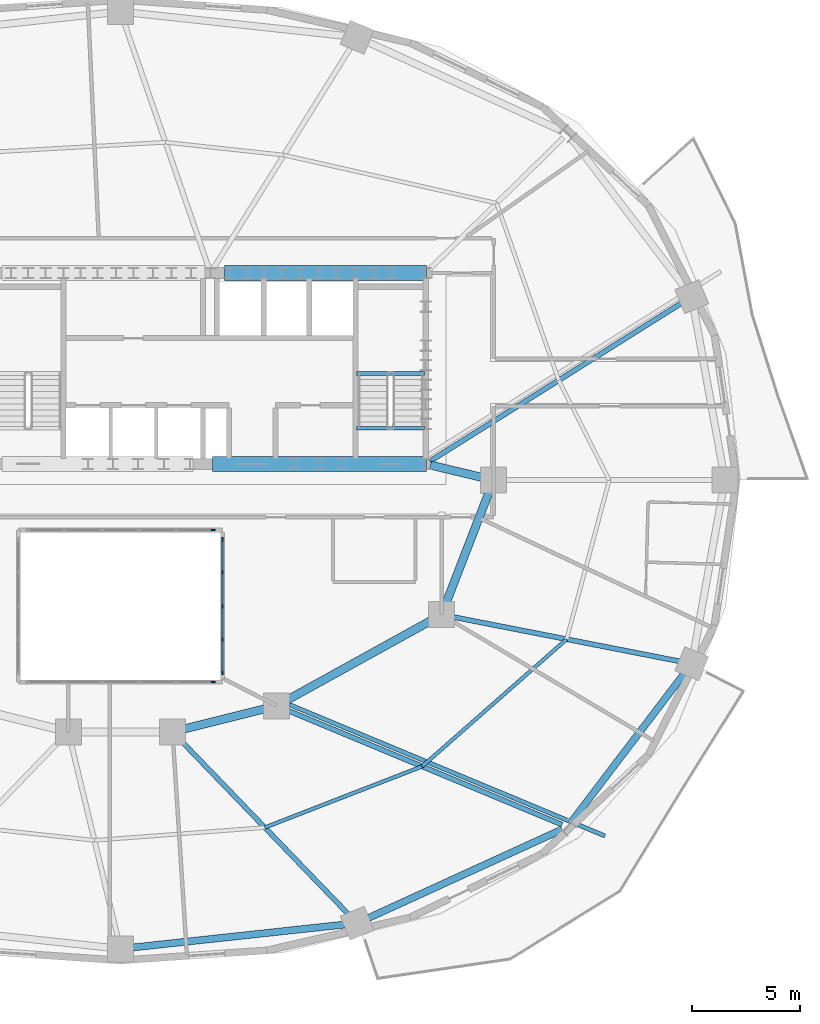
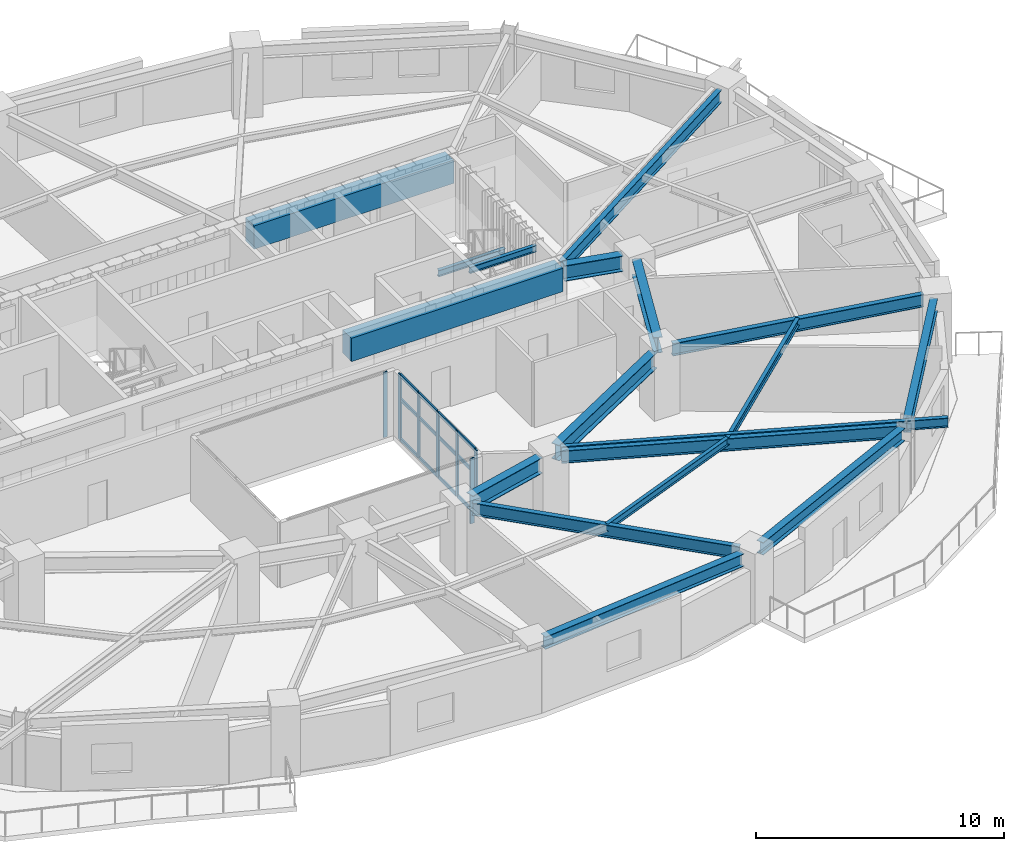
# One storey, part 4 of 13: 19 members, 18 beams, 3 elements without a shape of their own.
"""IFC4 building model written with IfcOpenShell, lengths in metres."""

import ifcopenshell
import ifcopenshell.guid

model = None  # the IFC model being written
_history = None  # IfcOwnerHistory: only IFC2X3 demands one
_inside = {}  # id of a spatial element -> (the spatial element, [elements in it])
_under = {}  # id of a project, library or spatial element -> (it, [spatial elements below it])
_declared = {}  # id of a project -> (the project, [libraries it declares])
_typed = {}  # id of a type object -> (the type object, [elements of that type])
_made_of = {}  # id of a material, layer set ... -> (it, [elements and type objects made of it])


def new_model(schema):
    """Start an empty IFC model of exactly this schema.

    Asked for "IFC4X3", IfcOpenShell would pick the latest addendum, in which some entities
    have other attributes; the version numbers below select the first issue.
    IFC2X3 requires an IfcOwnerHistory on every rooted entity: one is made here for all.
    """
    global model, _history
    if schema == "IFC4X3":
        model = ifcopenshell.file(schema_version=(4, 3, 0, 0))
    else:
        model = ifcopenshell.file(schema=schema)
    _inside.clear()
    _under.clear()
    _declared.clear()
    _typed.clear()
    _made_of.clear()
    _history = None
    if model.schema == "IFC2X3":
        org = make("IfcOrganization", Name="unknown")
        user = make(
            "IfcPersonAndOrganization",
            ThePerson=make("IfcPerson", FamilyName="unknown"),
            TheOrganization=org,
        )
        app = make(
            "IfcApplication",
            ApplicationDeveloper=org,
            Version="unknown",
            ApplicationFullName="unknown",
            ApplicationIdentifier="unknown",
        )
        _history = make(
            "IfcOwnerHistory",
            OwningUser=user,
            OwningApplication=app,
            ChangeAction="ADDED",
            CreationDate=0,
        )
    return model


def make(cls, **values):
    """One entity of the class cls with the attributes given. An attribute that is None is left unset."""
    return model.create_entity(
        cls, **{name: value for name, value in values.items() if value is not None}
    )


def rooted(cls, **values):
    """An entity with a GlobalId (a new one), such as an element, a storey or a relation."""
    return make(cls, GlobalId=ifcopenshell.guid.new(), OwnerHistory=_history, **values)


def si_unit(unit_type, name, prefix=None):
    """IfcSIUnit, for example si_unit("LENGTHUNIT", "METRE", prefix="MILLI")."""
    return make("IfcSIUnit", UnitType=unit_type, Prefix=prefix, Name=name)


def assignment(units):
    """IfcUnitAssignment: the units of a project."""
    return None if units is None else make("IfcUnitAssignment", Units=units)


def point(xyz):
    """IfcCartesianPoint."""
    return None if xyz is None else make("IfcCartesianPoint", Coordinates=xyz)


def direction(xyz):
    """IfcDirection."""
    return None if xyz is None else make("IfcDirection", DirectionRatios=xyz)


def frame(location, z_axis=None, x_axis=None):
    """IfcAxis2Placement3D, a coordinate frame: its origin and axes. An axis left out is left unset."""
    return make(
        "IfcAxis2Placement3D",
        Location=point(location),
        Axis=direction(z_axis),
        RefDirection=direction(x_axis),
    )


def frame_2d(location, x_axis=None):
    """IfcAxis2Placement2D, a coordinate frame in the plane: its origin and x axis."""
    return make(
        "IfcAxis2Placement2D", Location=point(location), RefDirection=direction(x_axis)
    )


def origin():
    """The frame at (0, 0, 0) with its axes left unset."""
    return frame((0.0, 0.0, 0.0))


def origin_2d():
    """The frame at (0, 0) in the plane with its x axis left unset."""
    return frame_2d((0.0, 0.0))


def place(relative_to, where):
    """IfcLocalPlacement: puts the frame where relative to a parent placement (None: the world)."""
    return make(
        "IfcLocalPlacement", PlacementRelTo=relative_to, RelativePlacement=where
    )


def context(
    kind, dimensions, precision=None, world=None, true_north=None, identifier=None
):
    """IfcGeometricRepresentationContext, for example the 3D "Model" context."""
    return make(
        "IfcGeometricRepresentationContext",
        ContextIdentifier=identifier,
        ContextType=kind,
        CoordinateSpaceDimension=dimensions,
        Precision=precision,
        WorldCoordinateSystem=world,
        TrueNorth=true_north,
    )


def subcontext(parent, identifier, kind, view, scale=None):
    """IfcGeometricRepresentationSubContext, for example "Body" below "Model"."""
    return make(
        "IfcGeometricRepresentationSubContext",
        ContextIdentifier=identifier,
        ContextType=kind,
        ParentContext=parent,
        TargetScale=scale,
        TargetView=view,
    )


def project(units=None, contexts=None):
    """IfcProject with its units and contexts."""
    return rooted(
        "IfcProject",
        Name="project",
        RepresentationContexts=contexts,
        UnitsInContext=assignment(units),
    )


def spatial(cls, under=None, at=None, **own):
    """A site, building, storey or space (cls), placed at a placement, below another one or the project."""
    s = rooted(cls, ObjectPlacement=at, **own)
    if under is not None:
        _under.setdefault(under.id(), (under, []))[1].append(s)
    return s


def profile(cls, at=None, kind="AREA", **sizes):
    """A parametric profile (cls). Its sizes go by their IFC names, for example OverallWidth=200.0."""
    return make(cls, ProfileType=kind, Position=at, **sizes)


def rectangle(**sizes):
    """IfcRectangleProfileDef."""
    return profile("IfcRectangleProfileDef", **sizes)


def i_section(**sizes):
    """IfcIShapeProfileDef."""
    return profile("IfcIShapeProfileDef", **sizes)


def extrude(swept, where, along, depth):
    """IfcExtrudedAreaSolid: the profile swept, set in the frame where, extruded along a direction by depth."""
    return make(
        "IfcExtrudedAreaSolid",
        SweptArea=swept,
        Position=where,
        ExtrudedDirection=direction(along),
        Depth=depth,
    )


def shape(context_of_items, identifier, shape_type, items):
    """IfcShapeRepresentation: the items that make up one representation, for example the "Body"."""
    return make(
        "IfcShapeRepresentation",
        ContextOfItems=context_of_items,
        RepresentationIdentifier=identifier,
        RepresentationType=shape_type,
        Items=items,
    )


def material(Name=None, Category=None):
    """IfcMaterial."""
    return make("IfcMaterial", Name=Name, Category=Category)


def material_profile(
    of_material, cross_section, Name=None, Category=None, Priority=None
):
    """IfcMaterialProfile: a cross section and its material."""
    return make(
        "IfcMaterialProfile",
        Name=Name,
        Material=of_material,
        Profile=cross_section,
        Priority=Priority,
        Category=Category,
    )


def profile_set(profiles, Name=None, composite=None):
    """IfcMaterialProfileSet."""
    return make(
        "IfcMaterialProfileSet",
        Name=Name,
        MaterialProfiles=profiles,
        CompositeProfile=composite,
    )


def made_of(thing, what):
    """Note that an element or type object is made of a material, layer set ...; save() writes the relation."""
    if what is not None:
        _made_of.setdefault(what.id(), (what, []))[1].append(thing)
    return thing


def type_object(cls, material=None, **own):
    """A type object (cls), such as IfcWallType, which elements share."""
    return made_of(rooted(cls, **own), material)


def element(
    cls,
    number,
    at=None,
    inside=None,
    cuts=None,
    type_object=None,
    material=None,
    context=None,
    identifier="Body",
    shape_type=None,
    held_by="IfcProductDefinitionShape",
    body=None,
    shapes=None,
    **own,
):
    """One element of the class cls, such as IfcWall. Its Tag is "e" and its number.

    at: its placement. inside: the storey or other place that contains it. cuts: it is an
    opening in that element (IfcRelVoidsElement). A single representation is given by context,
    identifier, shape_type and body (its items); several are given by shapes. held_by: the class
    of the entity that holds the representations. save() writes the other relations.
    """
    e = rooted(cls, Tag="e%d" % number, ObjectPlacement=at, **own)
    if body is not None:
        shapes = [shape(context, identifier, shape_type, body)]
    if shapes is not None:
        e.Representation = make(held_by, Representations=shapes)
    if inside is not None:
        _inside.setdefault(inside.id(), (inside, []))[1].append(e)
    if cuts is not None:
        rooted(
            "IfcRelVoidsElement", RelatingBuildingElement=cuts, RelatedOpeningElement=e
        )
    if type_object is not None:
        _typed.setdefault(type_object.id(), (type_object, []))[1].append(e)
    return made_of(e, material)


def aggregate(whole, parts):
    """IfcRelAggregates: a whole, such as a stair, and the parts it consists of."""
    return rooted("IfcRelAggregates", RelatingObject=whole, RelatedObjects=parts)


def save(model, path):
    """Write the relations noted so far, then the file.

    IfcRelAggregates (storeys below a building ...), IfcRelContainedInSpatialStructure (elements
    in a storey), IfcRelDefinesByType, IfcRelAssociatesMaterial and IfcRelDeclares: one each for
    every whole, place, type object, material and project.
    """
    for whole, parts in _under.values():
        aggregate(whole, parts)
    for where, things in _inside.values():
        rooted(
            "IfcRelContainedInSpatialStructure",
            RelatedElements=things,
            RelatingStructure=where,
        )
    for kind, things in _typed.values():
        rooted("IfcRelDefinesByType", RelatedObjects=things, RelatingType=kind)
    for what, things in _made_of.values():
        rooted("IfcRelAssociatesMaterial", RelatedObjects=things, RelatingMaterial=what)
    for by, libraries in _declared.values():
        rooted("IfcRelDeclares", RelatingContext=by, RelatedDefinitions=libraries)
    model.write(path)


model = new_model("IFC4")

# Units and contexts
model_context = context("Model", 3, precision=1e-05, world=origin(), true_north=direction((0.0, 1.0)))
body_context = subcontext(model_context, "Body", "Model", "MODEL_VIEW")
ifc_project = project(units=[si_unit("LENGTHUNIT", "METRE"), si_unit("AREAUNIT", "SQUARE_METRE"), si_unit("VOLUMEUNIT", "CUBIC_METRE"), si_unit("PLANEANGLEUNIT", "RADIAN"), si_unit("MASSUNIT", "GRAM", prefix="KILO")], contexts=[model_context])

# Site, building, storey
site_placement = place(None, origin())
site = spatial("IfcSite", under=ifc_project, at=site_placement, CompositionType="ELEMENT")
building_placement = place(site_placement, origin())
building = spatial("IfcBuilding", under=site, at=building_placement, Name="Haldorwick Loom Tower", CompositionType="ELEMENT")
storey_placement = place(building_placement, frame((0.0, 0.0, 120.800048828125)))
storey = spatial("IfcBuildingStorey", under=building, at=storey_placement, Name="L32", CompositionType="ELEMENT", Elevation=120.800048828125)

# Curtain wall, member
ifc_material_1 = material(Name="Thermally Broken Anodized Aluminium Curtain Wall Framing", Category="aluminium")
curtain_wall_type = type_object("IfcCurtainWallType", Name="ARC-CW-03", PredefinedType="NOTDEFINED", material=ifc_material_1)
curtain_wall_1_placement = place(storey_placement, origin())
curtain_wall_1 = element("IfcCurtainWall", 1, at=curtain_wall_1_placement, inside=storey, type_object=curtain_wall_type, Name="L32 Atrium Glazed Screen S", PredefinedType="NOTDEFINED")
ifc_material_profile_1 = material_profile(ifc_material_1, rectangle(XDim=0.06591796875, YDim=0.18505859375, at=origin_2d()), Name="ALU_MUL_66X185", Category="aluminium")
ifc_profile_set_1 = profile_set([ifc_material_profile_1], Name="Thermally Broken Anodized Aluminium Curtain Wall Framing")
member_type_1 = type_object("IfcMemberType", Name="ARC-CWM-03", PredefinedType="MULLION", material=ifc_profile_set_1)
member_1_placement = place(storey_placement, frame((40.26708984375, 16.699951171875, 0.0), z_axis=(0.0, 0.0, 1.0), x_axis=(0.0, -1.0, 0.0)))
member_1 = element("IfcMember", 2, at=member_1_placement, type_object=member_type_1, Name="CW-03 mullion 1", PredefinedType="MULLION", context=body_context, shape_type="SweptSolid", body=[
    extrude(rectangle(XDim=0.06591796875, YDim=0.18505859375, at=origin_2d()), origin(), (0.0, 0.0, 1.0), 3.2099609375),
])
aggregate(curtain_wall_1, [member_1])

curtain_wall_2_placement = place(storey_placement, origin())
curtain_wall_2 = element("IfcCurtainWall", 3, at=curtain_wall_2_placement, inside=storey, type_object=curtain_wall_type, Name="L32 Atrium Glazed Screen N", PredefinedType="NOTDEFINED")
member_2_placement = place(storey_placement, frame((40.26708984375, 23.699951171875, 0.0), z_axis=(0.0, 0.0, 1.0), x_axis=(0.0, 1.0, 0.0)))
member_2 = element("IfcMember", 4, at=member_2_placement, type_object=member_type_1, Name="CW-03 mullion 6", PredefinedType="MULLION", context=body_context, shape_type="SweptSolid", body=[
    extrude(rectangle(XDim=0.06591796875, YDim=0.18505859375, at=origin_2d()), origin(), (0.0, 0.0, 1.0), 3.2099609375),
])
aggregate(curtain_wall_2, [member_2])

# Curtain wall, members
curtain_wall_3_placement = place(storey_placement, origin())
curtain_wall_3 = element("IfcCurtainWall", 5, at=curtain_wall_3_placement, inside=storey, type_object=curtain_wall_type, Name="L32 Atrium Glazed Screen E", PredefinedType="NOTDEFINED")
member_3_placement = place(storey_placement, frame((40.699951171875, 23.26708984375, 0.0), z_axis=(0.0, 0.0, 1.0), x_axis=(1.0, 0.0, 0.0)))
member_3 = element("IfcMember", 6, at=member_3_placement, type_object=member_type_1, Name="CW-03 mullion 1", PredefinedType="MULLION", context=body_context, shape_type="SweptSolid", body=[
    extrude(rectangle(XDim=0.06591796875, YDim=0.18505859375, at=origin_2d()), origin(), (0.0, 0.0, 1.0), 3.2099609375),
])
member_4_placement = place(storey_placement, frame((40.699951171875, 21.75, 0.0), z_axis=(0.0, 0.0, 1.0), x_axis=(1.0, 0.0, 0.0)))
member_4 = element("IfcMember", 7, at=member_4_placement, type_object=member_type_1, Name="CW-03 mullion 2", PredefinedType="MULLION", context=body_context, shape_type="SweptSolid", body=[
    extrude(rectangle(XDim=0.06591796875, YDim=0.18505859375, at=origin_2d()), origin(), (0.0, 0.0, 1.0), 3.2099609375),
])
member_5_placement = place(storey_placement, frame((40.699951171875, 20.199951171875, 0.0), z_axis=(0.0, 0.0, 1.0), x_axis=(1.0, 0.0, 0.0)))
member_5 = element("IfcMember", 8, at=member_5_placement, type_object=member_type_1, Name="CW-03 mullion 3", PredefinedType="MULLION", context=body_context, shape_type="SweptSolid", body=[
    extrude(rectangle(XDim=0.06591796875, YDim=0.18505859375, at=origin_2d()), origin(), (0.0, 0.0, 1.0), 3.2099609375),
])
member_6_placement = place(storey_placement, frame((40.699951171875, 18.64990234375, 0.0), z_axis=(0.0, 0.0, 1.0), x_axis=(1.0, 0.0, 0.0)))
member_6 = element("IfcMember", 9, at=member_6_placement, type_object=member_type_1, Name="CW-03 mullion 4", PredefinedType="MULLION", context=body_context, shape_type="SweptSolid", body=[
    extrude(rectangle(XDim=0.06591796875, YDim=0.18505859375, at=origin_2d()), origin(), (0.0, 0.0, 1.0), 3.2099609375),
])
member_7_placement = place(storey_placement, frame((40.699951171875, 17.133056640625, 0.0), z_axis=(0.0, 0.0, 1.0), x_axis=(1.0, 0.0, 0.0)))
member_7 = element("IfcMember", 10, at=member_7_placement, type_object=member_type_1, Name="CW-03 mullion 5", PredefinedType="MULLION", context=body_context, shape_type="SweptSolid", body=[
    extrude(rectangle(XDim=0.06591796875, YDim=0.18505859375, at=origin_2d()), origin(), (0.0, 0.0, 1.0), 3.2099609375),
])
ifc_material_profile_2 = material_profile(ifc_material_1, rectangle(XDim=0.06591796875, YDim=0.1650390625, at=origin_2d()), Name="ALU_TRN_66X165", Category="aluminium")
ifc_profile_set_2 = profile_set([ifc_material_profile_2], Name="Thermally Broken Anodized Aluminium Curtain Wall Framing")
member_type_2 = type_object("IfcMemberType", Name="ARC-CWT-03", PredefinedType="USERDEFINED", material=ifc_profile_set_2)
member_8_placement = place(storey_placement, frame((40.699951171875, 23.23388671875, 0.032958984375), z_axis=(0.0, -1.0, 0.0), x_axis=(1.0, 0.0, 0.0)))
member_8 = element("IfcMember", 11, at=member_8_placement, type_object=member_type_2, Name="CW-03 transom 1.1", ObjectType="TRANSOM", PredefinedType="USERDEFINED", context=body_context, shape_type="SweptSolid", body=[
    extrude(rectangle(XDim=0.06591796875, YDim=0.1650390625, at=origin_2d()), origin(), (0.0, 0.0, 1.0), 1.450927734375),
])
member_9_placement = place(storey_placement, frame((40.699951171875, 23.23388671875, 2.0), z_axis=(0.0, -1.0, 0.0), x_axis=(1.0, 0.0, 0.0)))
member_9 = element("IfcMember", 12, at=member_9_placement, type_object=member_type_2, Name="CW-03 transom 1.2", ObjectType="TRANSOM", PredefinedType="USERDEFINED", context=body_context, shape_type="SweptSolid", body=[
    extrude(rectangle(XDim=0.06591796875, YDim=0.1650390625, at=origin_2d()), origin(), (0.0, 0.0, 1.0), 1.450927734375),
])
member_10_placement = place(storey_placement, frame((40.699951171875, 23.23388671875, 3.177001953125), z_axis=(0.0, -1.0, 0.0), x_axis=(1.0, 0.0, 0.0)))
member_10 = element("IfcMember", 13, at=member_10_placement, type_object=member_type_2, Name="CW-03 transom 1.3", ObjectType="TRANSOM", PredefinedType="USERDEFINED", context=body_context, shape_type="SweptSolid", body=[
    extrude(rectangle(XDim=0.06591796875, YDim=0.1650390625, at=origin_2d()), origin(), (0.0, 0.0, 1.0), 1.450927734375),
])
member_11_placement = place(storey_placement, frame((40.699951171875, 21.717041015625, 0.032958984375), z_axis=(0.0, -1.0, 0.0), x_axis=(1.0, 0.0, 0.0)))
member_11 = element("IfcMember", 14, at=member_11_placement, type_object=member_type_2, Name="CW-03 transom 2.1", ObjectType="TRANSOM", PredefinedType="USERDEFINED", context=body_context, shape_type="SweptSolid", body=[
    extrude(rectangle(XDim=0.06591796875, YDim=0.1650390625, at=origin_2d()), origin(), (0.0, 0.0, 1.0), 1.484130859375),
])
member_12_placement = place(storey_placement, frame((40.699951171875, 21.717041015625, 2.0), z_axis=(0.0, -1.0, 0.0), x_axis=(1.0, 0.0, 0.0)))
member_12 = element("IfcMember", 15, at=member_12_placement, type_object=member_type_2, Name="CW-03 transom 2.2", ObjectType="TRANSOM", PredefinedType="USERDEFINED", context=body_context, shape_type="SweptSolid", body=[
    extrude(rectangle(XDim=0.06591796875, YDim=0.1650390625, at=origin_2d()), origin(), (0.0, 0.0, 1.0), 1.484130859375),
])
member_13_placement = place(storey_placement, frame((40.699951171875, 21.717041015625, 3.177001953125), z_axis=(0.0, -1.0, 0.0), x_axis=(1.0, 0.0, 0.0)))
member_13 = element("IfcMember", 16, at=member_13_placement, type_object=member_type_2, Name="CW-03 transom 2.3", ObjectType="TRANSOM", PredefinedType="USERDEFINED", context=body_context, shape_type="SweptSolid", body=[
    extrude(rectangle(XDim=0.06591796875, YDim=0.1650390625, at=origin_2d()), origin(), (0.0, 0.0, 1.0), 1.484130859375),
])
member_14_placement = place(storey_placement, frame((40.699951171875, 20.1669921875, 0.032958984375), z_axis=(0.0, -1.0, 0.0), x_axis=(1.0, 0.0, 0.0)))
member_14 = element("IfcMember", 17, at=member_14_placement, type_object=member_type_2, Name="CW-03 transom 3.1", ObjectType="TRANSOM", PredefinedType="USERDEFINED", context=body_context, shape_type="SweptSolid", body=[
    extrude(rectangle(XDim=0.06591796875, YDim=0.1650390625, at=origin_2d()), origin(), (0.0, 0.0, 1.0), 1.48388671875),
])
member_15_placement = place(storey_placement, frame((40.699951171875, 20.1669921875, 2.0), z_axis=(0.0, -1.0, 0.0), x_axis=(1.0, 0.0, 0.0)))
member_15 = element("IfcMember", 18, at=member_15_placement, type_object=member_type_2, Name="CW-03 transom 3.2", ObjectType="TRANSOM", PredefinedType="USERDEFINED", context=body_context, shape_type="SweptSolid", body=[
    extrude(rectangle(XDim=0.06591796875, YDim=0.1650390625, at=origin_2d()), origin(), (0.0, 0.0, 1.0), 1.48388671875),
])
member_16_placement = place(storey_placement, frame((40.699951171875, 20.1669921875, 3.177001953125), z_axis=(0.0, -1.0, 0.0), x_axis=(1.0, 0.0, 0.0)))
member_16 = element("IfcMember", 19, at=member_16_placement, type_object=member_type_2, Name="CW-03 transom 3.3", ObjectType="TRANSOM", PredefinedType="USERDEFINED", context=body_context, shape_type="SweptSolid", body=[
    extrude(rectangle(XDim=0.06591796875, YDim=0.1650390625, at=origin_2d()), origin(), (0.0, 0.0, 1.0), 1.48388671875),
])
member_17_placement = place(storey_placement, frame((40.699951171875, 18.616943359375, 0.032958984375), z_axis=(0.0, -1.0, 0.0), x_axis=(1.0, 0.0, 0.0)))
member_17 = element("IfcMember", 20, at=member_17_placement, type_object=member_type_2, Name="CW-03 transom 4.1", ObjectType="TRANSOM", PredefinedType="USERDEFINED", context=body_context, shape_type="SweptSolid", body=[
    extrude(rectangle(XDim=0.06591796875, YDim=0.1650390625, at=origin_2d()), origin(), (0.0, 0.0, 1.0), 1.450927734375),
])
member_18_placement = place(storey_placement, frame((40.699951171875, 18.616943359375, 2.0), z_axis=(0.0, -1.0, 0.0), x_axis=(1.0, 0.0, 0.0)))
member_18 = element("IfcMember", 21, at=member_18_placement, type_object=member_type_2, Name="CW-03 transom 4.2", ObjectType="TRANSOM", PredefinedType="USERDEFINED", context=body_context, shape_type="SweptSolid", body=[
    extrude(rectangle(XDim=0.06591796875, YDim=0.1650390625, at=origin_2d()), origin(), (0.0, 0.0, 1.0), 1.450927734375),
])
member_19_placement = place(storey_placement, frame((40.699951171875, 18.616943359375, 3.177001953125), z_axis=(0.0, -1.0, 0.0), x_axis=(1.0, 0.0, 0.0)))
member_19 = element("IfcMember", 22, at=member_19_placement, type_object=member_type_2, Name="CW-03 transom 4.3", ObjectType="TRANSOM", PredefinedType="USERDEFINED", context=body_context, shape_type="SweptSolid", body=[
    extrude(rectangle(XDim=0.06591796875, YDim=0.1650390625, at=origin_2d()), origin(), (0.0, 0.0, 1.0), 1.450927734375),
])
aggregate(curtain_wall_3, [member_3, member_4, member_5, member_6, member_7, member_8, member_9, member_10, member_11, member_12, member_13, member_14, member_15, member_16, member_17, member_18, member_19])

# Beams
ifc_material_2 = material(Name="Steel CSA G40.21 350W", Category="steel")
ifc_material_profile_3 = material_profile(ifc_material_2, i_section(OverallWidth=0.193115234375, OverallDepth=0.466064453125, WebThickness=0.011474609375, FlangeThickness=0.01904296875, at=origin_2d()), Name="W460X97", Category="steel")
ifc_profile_set_3 = profile_set([ifc_material_profile_3], Name="Steel CSA G40.21 350W")
beam_type_1 = type_object("IfcBeamType", Name="STR-BM-BAL460", PredefinedType="BEAM", material=ifc_profile_set_3)
beam_1_placement = place(storey_placement, frame((43.78759765625, 15.65869140625, 2.97705078125), z_axis=(0.923187850755, -0.384349049976, 0.0), x_axis=(0.384349049976, 0.923187850755, 0.0)))
element("IfcBeam", 23, at=beam_1_placement, inside=storey, type_object=beam_type_1, Name="L32 Continuous Back-Spanned Balcony Beam 1", PredefinedType="BEAM", context=body_context, shape_type="SweptSolid", body=[
    extrude(i_section(OverallWidth=0.193115234375, OverallDepth=0.466064453125, WebThickness=0.011474609375, FlangeThickness=0.01904296875, at=origin_2d()), origin(), (0.0, 0.0, 1.0), 15.75244140625),
])
ifc_material_3 = material(Name="Concrete C60 (60 MPa)", Category="concrete")
ifc_material_profile_4 = material_profile(ifc_material_3, rectangle(XDim=0.699951171875, YDim=1.14990234375, at=origin_2d()), Name="RC700X1150", Category="concrete")
ifc_profile_set_4 = profile_set([ifc_material_profile_4], Name="Concrete C60 (60 MPa)")
beam_type_2 = type_object("IfcBeamType", Name="STR-BM-CB1150", PredefinedType="LINTEL", material=ifc_profile_set_4)
beam_2_placement = place(storey_placement, frame((40.800048828125, 35.550048828125, 2.635009765625), z_axis=(1.0, 0.0, 0.0), x_axis=(0.0, 1.0, 0.0)))
element("IfcBeam", 24, at=beam_2_placement, inside=storey, type_object=beam_type_2, Name="L32 Core Coupling Beam CB-N3", PredefinedType="LINTEL", context=body_context, shape_type="SweptSolid", body=[
    extrude(rectangle(XDim=0.699951171875, YDim=1.14990234375, at=origin_2d()), origin(), (0.0, 0.0, 1.0), 9.300048828125),
])
beam_3_placement = place(storey_placement, frame((40.25, 26.75, 2.635009765625), z_axis=(1.0, 0.0, 0.0), x_axis=(0.0, 1.0, 0.0)))
element("IfcBeam", 25, at=beam_3_placement, inside=storey, type_object=beam_type_2, Name="L32 Core Coupling Beam CB-S3", PredefinedType="LINTEL", context=body_context, shape_type="SweptSolid", body=[
    extrude(rectangle(XDim=0.699951171875, YDim=1.14990234375, at=origin_2d()), origin(), (0.0, 0.0, 1.0), 9.85009765625),
])
ifc_material_profile_5 = material_profile(ifc_material_2, i_section(OverallWidth=0.172119140625, OverallDepth=0.35791015625, WebThickness=0.0078125, FlangeThickness=0.01318359375, at=origin_2d()), Name="W360X57", Category="steel")
ifc_profile_set_5 = profile_set([ifc_material_profile_5], Name="Steel CSA G40.21 350W")
beam_type_3 = type_object("IfcBeamType", Name="STR-BM-J360", PredefinedType="JOIST", material=ifc_profile_set_5)
beam_4_placement = place(storey_placement, frame((42.6533203125, 9.9912109375, 3.031005859375), z_axis=(0.932072983051, 0.362270553959, 0.0), x_axis=(-0.362270553959, 0.932072983051, 0.0)))
element("IfcBeam", 26, at=beam_4_placement, inside=storey, type_object=beam_type_3, Name="L32 Mid-Bay Secondary Joist 14", PredefinedType="JOIST", context=body_context, shape_type="SweptSolid", body=[
    extrude(i_section(OverallWidth=0.172119140625, OverallDepth=0.35791015625, WebThickness=0.0078125, FlangeThickness=0.01318359375, at=origin_2d()), origin(), (0.0, 0.0, 1.0), 7.7783203125),
])
beam_5_placement = place(storey_placement, frame((49.9033203125, 12.80908203125, 3.031005859375), z_axis=(0.750721157729, 0.660619212057, 0.0), x_axis=(-0.660619212057, 0.750721157729, 0.0)))
element("IfcBeam", 27, at=beam_5_placement, inside=storey, type_object=beam_type_3, Name="L32 Mid-Bay Secondary Joist 15", PredefinedType="JOIST", context=body_context, shape_type="SweptSolid", body=[
    extrude(i_section(OverallWidth=0.172119140625, OverallDepth=0.35791015625, WebThickness=0.0078125, FlangeThickness=0.01318359375, at=origin_2d()), origin(), (0.0, 0.0, 1.0), 8.8740234375),
])
ifc_material_profile_6 = material_profile(ifc_material_2, i_section(OverallWidth=0.324951171875, OverallDepth=0.615966796875, WebThickness=0.013916015625, FlangeThickness=0.021484375, at=origin_2d()), Name="W610X174", Category="steel")
ifc_profile_set_6 = profile_set([ifc_material_profile_6], Name="Steel CSA G40.21 350W")
beam_type_4 = type_object("IfcBeamType", Name="STR-BM-SP610", PredefinedType="SPANDREL", material=ifc_profile_set_6)
beam_6_placement = place(storey_placement, frame((36.51708984375, 4.45751953125, 2.90185546875), z_axis=(0.994190135627, 0.107638163409, 0.0), x_axis=(-0.107638163409, 0.994190135627, 0.0)))
element("IfcBeam", 28, at=beam_6_placement, inside=storey, type_object=beam_type_4, Name="L32 Perimeter Spandrel 13", PredefinedType="SPANDREL", context=body_context, shape_type="SweptSolid", body=[
    extrude(i_section(OverallWidth=0.324951171875, OverallDepth=0.615966796875, WebThickness=0.013916015625, FlangeThickness=0.021484375, at=origin_2d()), origin(), (0.0, 0.0, 1.0), 9.929931640625),
])
beam_7_placement = place(storey_placement, frame((47.37939453125, 5.798583984375, 2.90185546875), z_axis=(0.909423969306, 0.415870225011, 0.0), x_axis=(-0.415870225011, 0.909423969306, 0.0)))
element("IfcBeam", 29, at=beam_7_placement, inside=storey, type_object=beam_type_4, Name="L32 Perimeter Spandrel 14", PredefinedType="SPANDREL", context=body_context, shape_type="SweptSolid", body=[
    extrude(i_section(OverallWidth=0.324951171875, OverallDepth=0.615966796875, WebThickness=0.013916015625, FlangeThickness=0.021484375, at=origin_2d()), origin(), (0.0, 0.0, 1.0), 9.871337890625),
])
beam_8_placement = place(storey_placement, frame((56.773193359375, 10.2373046875, 2.90185546875), z_axis=(0.605453508047, 0.795880675475, 0.0), x_axis=(-0.795880675475, 0.605453508047, 0.0)))
element("IfcBeam", 30, at=beam_8_placement, inside=storey, type_object=beam_type_4, Name="L32 Perimeter Spandrel 15", PredefinedType="SPANDREL", context=body_context, shape_type="SweptSolid", body=[
    extrude(i_section(OverallWidth=0.324951171875, OverallDepth=0.615966796875, WebThickness=0.013916015625, FlangeThickness=0.021484375, at=origin_2d()), origin(), (0.0, 0.0, 1.0), 8.6591796875),
])
ifc_material_profile_7 = material_profile(ifc_material_2, i_section(OverallWidth=0.166015625, OverallDepth=0.31298828125, WebThickness=0.006591796875, FlangeThickness=0.01123046875, at=origin_2d()), Name="W310X45", Category="steel")
ifc_profile_set_7 = profile_set([ifc_material_profile_7], Name="Steel CSA G40.21 350W")
beam_type_5 = type_object("IfcBeamType", Name="STR-BM-STRM", PredefinedType="BEAM", material=ifc_profile_set_7)
for number, where, z_axis, x_axis, name in (
    (31, (46.889892578125, 28.39990234375, 3.053466796875), (1.0, 0.0, 0.0), (0.0, 1.0, 0.0), "L32 Stair ST-02 Landing Edge Trimmer"),
    (32, (46.889892578125, 30.919921875, 1.368408203125), (1.0, 0.0, 0.0), (0.0, 1.0, 0.0), "L32 Stair ST-02 Half-Landing Trimmer 1"),
):
    element("IfcBeam", number, at=place(storey_placement, frame(where, z_axis=z_axis, x_axis=x_axis)), inside=storey, type_object=beam_type_5, Name=name, PredefinedType="BEAM", context=body_context, shape_type="SweptSolid", body=[
        extrude(i_section(OverallWidth=0.166015625, OverallDepth=0.31298828125, WebThickness=0.006591796875, FlangeThickness=0.01123046875, at=origin_2d()), origin(), (0.0, 0.0, 1.0), 3.1201171875),
    ])
ifc_material_profile_8 = material_profile(ifc_material_2, i_section(OverallWidth=0.22998046875, OverallDepth=0.616943359375, WebThickness=0.01318359375, FlangeThickness=0.022216796875, at=origin_2d()), Name="W610X140", Category="steel")
ifc_profile_set_8 = profile_set([ifc_material_profile_8], Name="Steel CSA G40.21 350W")
beam_type_6 = type_object("IfcBeamType", Name="STR-BM-W610B", PredefinedType="BEAM", material=ifc_profile_set_8)
beam_9_placement = place(storey_placement, frame((50.260498046875, 26.86962890625, 2.9013671875), z_axis=(0.846609551433, 0.532214493811, 0.0), x_axis=(-0.532214493811, 0.846609551433, 0.0)))
element("IfcBeam", 33, at=beam_9_placement, inside=storey, type_object=beam_type_6, Name="L32 Radial Floor Girder 2", PredefinedType="BEAM", context=body_context, shape_type="SweptSolid", body=[
    extrude(i_section(OverallWidth=0.22998046875, OverallDepth=0.616943359375, WebThickness=0.01318359375, FlangeThickness=0.022216796875, at=origin_2d()), origin(), (0.0, 0.0, 1.0), 13.737060546875),
])
beam_10_placement = place(storey_placement, frame((38.760986328125, 14.02587890625, 2.9013671875), z_axis=(0.694287071595, -0.719698174387, 0.0), x_axis=(0.719698174387, 0.694287071595, 0.0)))
element("IfcBeam", 34, at=beam_10_placement, inside=storey, type_object=beam_type_6, Name="L32 Radial Floor Girder 14", PredefinedType="BEAM", context=body_context, shape_type="SweptSolid", body=[
    extrude(i_section(OverallWidth=0.22998046875, OverallDepth=0.616943359375, WebThickness=0.01318359375, FlangeThickness=0.022216796875, at=origin_2d()), origin(), (0.0, 0.0, 1.0), 11.212158203125),
])
beam_11_placement = place(storey_placement, frame((43.68017578125, 15.400146484375, 2.9013671875), z_axis=(0.923183704764, -0.384359008297, 0.0), x_axis=(0.384359008297, 0.923183704764, 0.0)))
element("IfcBeam", 35, at=beam_11_placement, inside=storey, type_object=beam_type_6, Name="L32 Radial Floor Girder 15", PredefinedType="BEAM", context=body_context, shape_type="SweptSolid", body=[
    extrude(i_section(OverallWidth=0.22998046875, OverallDepth=0.616943359375, WebThickness=0.01318359375, FlangeThickness=0.022216796875, at=origin_2d()), origin(), (0.0, 0.0, 1.0), 13.72705078125),
])
beam_12_placement = place(storey_placement, frame((51.310302734375, 19.7001953125, 2.9013671875), z_axis=(0.981369581426, -0.192129499692, 0.0), x_axis=(0.192129499692, 0.981369581426, 0.0)))
element("IfcBeam", 36, at=beam_12_placement, inside=storey, type_object=beam_type_6, Name="L32 Radial Floor Girder 16", PredefinedType="BEAM", context=body_context, shape_type="SweptSolid", body=[
    extrude(i_section(OverallWidth=0.22998046875, OverallDepth=0.616943359375, WebThickness=0.01318359375, FlangeThickness=0.022216796875, at=origin_2d()), origin(), (0.0, 0.0, 1.0), 10.70947265625),
])
ifc_material_profile_9 = material_profile(ifc_material_2, i_section(OverallWidth=0.381103515625, OverallDepth=0.77294921875, WebThickness=0.0166015625, FlangeThickness=0.027587890625, at=origin_2d()), Name="W760X257", Category="steel")
ifc_profile_set_9 = profile_set([ifc_material_profile_9], Name="Steel CSA G40.21 350W")
beam_type_7 = type_object("IfcBeamType", Name="STR-BM-W760", PredefinedType="BEAM", material=ifc_profile_set_9)
beam_13_placement = place(storey_placement, frame((50.288818359375, 26.697509765625, 2.823486328125), z_axis=(0.97247055837, -0.233025777764, 0.0), x_axis=(0.233025777764, 0.97247055837, 0.0)))
element("IfcBeam", 37, at=beam_13_placement, inside=storey, type_object=beam_type_7, Name="L32 Inner Ring Girder 1", PredefinedType="BEAM", context=body_context, shape_type="SweptSolid", body=[
    extrude(i_section(OverallWidth=0.381103515625, OverallDepth=0.77294921875, WebThickness=0.0166015625, FlangeThickness=0.027587890625, at=origin_2d()), origin(), (0.0, 0.0, 1.0), 2.4736328125),
])
beam_14_placement = place(storey_placement, frame((53.01220703125, 25.51513671875, 2.823486328125), z_axis=(-0.360964792353, -0.93257944363, 0.0), x_axis=(0.93257944363, -0.360964792353, 0.0)))
element("IfcBeam", 38, at=beam_14_placement, inside=storey, type_object=beam_type_7, Name="L32 Inner Ring Girder 2", PredefinedType="BEAM", context=body_context, shape_type="SweptSolid", body=[
    extrude(i_section(OverallWidth=0.381103515625, OverallDepth=0.77294921875, WebThickness=0.0166015625, FlangeThickness=0.027587890625, at=origin_2d()), origin(), (0.0, 0.0, 1.0), 5.6083984375),
])
beam_15_placement = place(storey_placement, frame((50.344970703125, 19.548583984375, 2.823486328125), z_axis=(-0.875244382146, -0.483680960471, 0.0), x_axis=(0.483680960471, -0.875244382146, 0.0)))
element("IfcBeam", 39, at=beam_15_placement, inside=storey, type_object=beam_type_7, Name="L32 Inner Ring Girder 3", PredefinedType="BEAM", context=body_context, shape_type="SweptSolid", body=[
    extrude(i_section(OverallWidth=0.381103515625, OverallDepth=0.77294921875, WebThickness=0.0166015625, FlangeThickness=0.027587890625, at=origin_2d()), origin(), (0.0, 0.0, 1.0), 7.6435546875),
])
beam_16_placement = place(storey_placement, frame((42.695556640625, 15.473876953125, 2.823486328125), z_axis=(-0.970142500145, -0.242535625036, 0.0), x_axis=(0.242535625036, -0.970142500145, 0.0)))
element("IfcBeam", 40, at=beam_16_placement, inside=storey, type_object=beam_type_7, Name="L32 Inner Ring Girder 4", PredefinedType="BEAM", context=body_context, shape_type="SweptSolid", body=[
    extrude(i_section(OverallWidth=0.381103515625, OverallDepth=0.77294921875, WebThickness=0.0166015625, FlangeThickness=0.027587890625, at=origin_2d()), origin(), (0.0, 0.0, 1.0), 3.90771484375),
])

save(model, "model.ifc")
